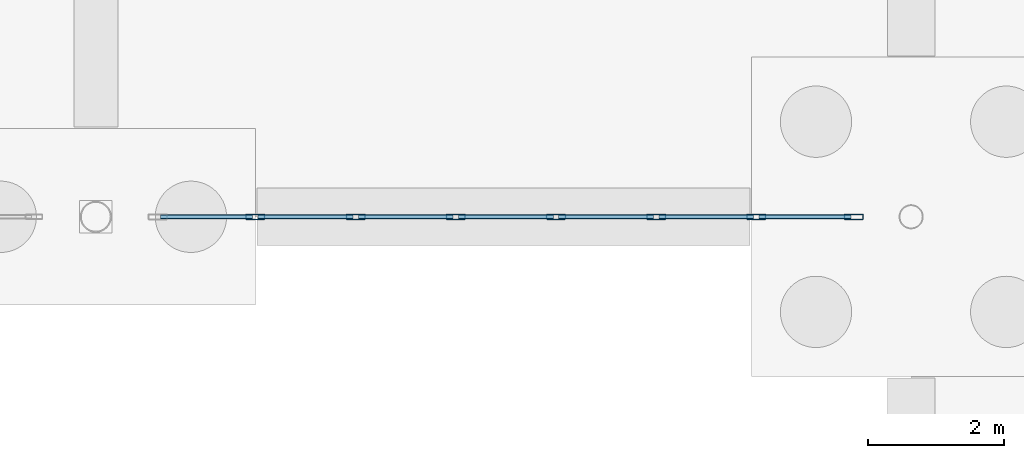
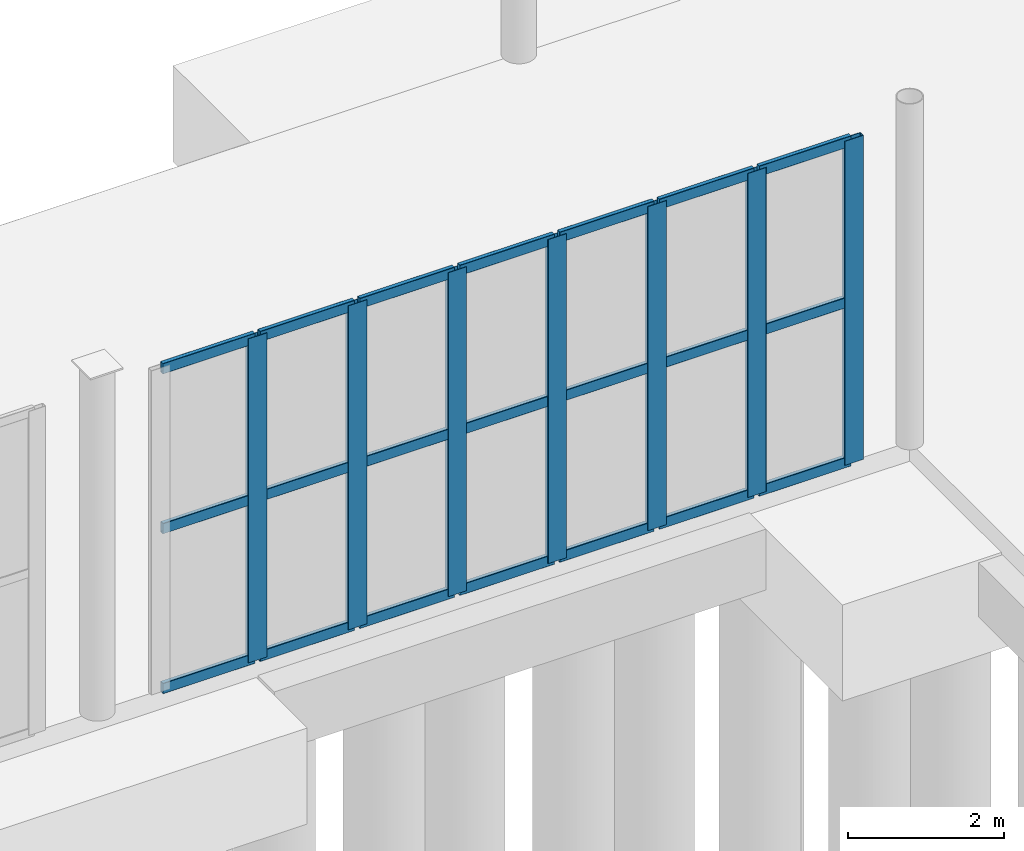
# One storey, part 34 of 70: 28 members, 1 element without a shape of its own.
"""IFC4 building model written with IfcOpenShell, lengths in metres."""

from ifc_helpers import new_model, si_unit, direction, frame, origin, origin_2d, place, context, subcontext, project, spatial, hollow_rectangle, extrude, material, layer, layer_set, material_profile, profile_set, type_object, element, aggregate, save


model = new_model("IFC4")

# Units and contexts
model_context = context("Model", 3, precision=1e-05, world=origin(), true_north=direction((0.0, 1.0)))
body_context = subcontext(model_context, "Body", "Model", "MODEL_VIEW")
ifc_project = project(units=[si_unit("LENGTHUNIT", "METRE"), si_unit("AREAUNIT", "SQUARE_METRE"), si_unit("VOLUMEUNIT", "CUBIC_METRE"), si_unit("PLANEANGLEUNIT", "RADIAN"), si_unit("MASSUNIT", "GRAM", prefix="KILO")], contexts=[model_context])

# Site, building, storey
site_placement = place(None, origin())
site = spatial("IfcSite", under=ifc_project, at=site_placement, CompositionType="ELEMENT")
building_placement = place(site_placement, origin())
building = spatial("IfcBuilding", under=site, at=building_placement, Name="Brinegate Civic Arena", CompositionType="ELEMENT")
storey_placement = place(building_placement, origin())
storey = spatial("IfcBuildingStorey", under=building, at=storey_placement, Name="L00", CompositionType="ELEMENT", Elevation=0.0)

# Curtain wall, members
ifc_material = material(Name="Marine grade aluminium", Category="aluminium")
ifc_layer = layer(ifc_material, 0.215087890625, Name="Marine grade aluminium")
ifc_layer_set = layer_set([ifc_layer], Name="Marine grade aluminium")
curtain_wall_type = type_object("IfcCurtainWallType", Name="CW-FOYER-GLAZED-02", PredefinedType="USERDEFINED", material=ifc_layer_set)
curtain_wall_placement = place(storey_placement, origin())
curtain_wall = element("IfcCurtainWall", 1, at=curtain_wall_placement, inside=storey, type_object=curtain_wall_type, Name="Curtain Wall CWA-007", ObjectType="GLAZED CURTAIN WALL", PredefinedType="USERDEFINED")
ifc_material_profile_1 = material_profile(ifc_material, hollow_rectangle(XDim=0.080078125, YDim=0.280029296875, WallThickness=0.007080078125, InnerFilletRadius=0.0048828125, OuterFilletRadius=0.010009765625, at=origin_2d()), Name="MUL80X280")
ifc_profile_set_1 = profile_set([ifc_material_profile_1], Name="Marine grade aluminium")
member_type_1 = type_object("IfcMemberType", Name="CW-MULLION-80X280", PredefinedType="MULLION", material=ifc_profile_set_1)
member_1_placement = place(storey_placement, frame((38.347900390625, 114.0, 0.0), z_axis=(0.0, 0.0, 1.0), x_axis=(0.0, 1.0, 0.0)))
member_1 = element("IfcMember", 2, at=member_1_placement, type_object=member_type_1, Name="CWA-007 mullion 2", PredefinedType="MULLION", context=body_context, shape_type="SweptSolid", body=[
    extrude(hollow_rectangle(XDim=0.080078125, YDim=0.280029296875, WallThickness=0.007080078125, InnerFilletRadius=0.0048828125, OuterFilletRadius=0.010009765625, at=origin_2d()), origin(), (0.0, 0.0, 1.0), 5.06005859375),
])
member_2_placement = place(storey_placement, frame((39.822998046875, 114.0, 0.0), z_axis=(0.0, 0.0, 1.0), x_axis=(0.0, 1.0, 0.0)))
member_2 = element("IfcMember", 3, at=member_2_placement, type_object=member_type_1, Name="CWA-007 mullion 3", PredefinedType="MULLION", context=body_context, shape_type="SweptSolid", body=[
    extrude(hollow_rectangle(XDim=0.080078125, YDim=0.280029296875, WallThickness=0.007080078125, InnerFilletRadius=0.0048828125, OuterFilletRadius=0.010009765625, at=origin_2d()), origin(), (0.0, 0.0, 1.0), 5.06005859375),
])
member_3_placement = place(storey_placement, frame((41.298095703125, 114.0, 0.0), z_axis=(0.0, 0.0, 1.0), x_axis=(0.0, 1.0, 0.0)))
member_3 = element("IfcMember", 4, at=member_3_placement, type_object=member_type_1, Name="CWA-007 mullion 4", PredefinedType="MULLION", context=body_context, shape_type="SweptSolid", body=[
    extrude(hollow_rectangle(XDim=0.080078125, YDim=0.280029296875, WallThickness=0.007080078125, InnerFilletRadius=0.0048828125, OuterFilletRadius=0.010009765625, at=origin_2d()), origin(), (0.0, 0.0, 1.0), 5.06005859375),
])
member_4_placement = place(storey_placement, frame((42.77294921875, 114.0, 0.0), z_axis=(0.0, 0.0, 1.0), x_axis=(0.0, 1.0, 0.0)))
member_4 = element("IfcMember", 5, at=member_4_placement, type_object=member_type_1, Name="CWA-007 mullion 5", PredefinedType="MULLION", context=body_context, shape_type="SweptSolid", body=[
    extrude(hollow_rectangle(XDim=0.080078125, YDim=0.280029296875, WallThickness=0.007080078125, InnerFilletRadius=0.0048828125, OuterFilletRadius=0.010009765625, at=origin_2d()), origin(), (0.0, 0.0, 1.0), 5.06005859375),
])
member_5_placement = place(storey_placement, frame((44.248046875, 114.0, 0.0), z_axis=(0.0, 0.0, 1.0), x_axis=(0.0, 1.0, 0.0)))
member_5 = element("IfcMember", 6, at=member_5_placement, type_object=member_type_1, Name="CWA-007 mullion 6", PredefinedType="MULLION", context=body_context, shape_type="SweptSolid", body=[
    extrude(hollow_rectangle(XDim=0.080078125, YDim=0.280029296875, WallThickness=0.007080078125, InnerFilletRadius=0.0048828125, OuterFilletRadius=0.010009765625, at=origin_2d()), origin(), (0.0, 0.0, 1.0), 5.06005859375),
])
member_6_placement = place(storey_placement, frame((45.722900390625, 114.0, 0.0), z_axis=(0.0, 0.0, 1.0), x_axis=(0.0, 1.0, 0.0)))
member_6 = element("IfcMember", 7, at=member_6_placement, type_object=member_type_1, Name="CWA-007 mullion 7", PredefinedType="MULLION", context=body_context, shape_type="SweptSolid", body=[
    extrude(hollow_rectangle(XDim=0.080078125, YDim=0.280029296875, WallThickness=0.007080078125, InnerFilletRadius=0.0048828125, OuterFilletRadius=0.010009765625, at=origin_2d()), origin(), (0.0, 0.0, 1.0), 5.06005859375),
])
member_7_placement = place(storey_placement, frame((47.157958984375, 114.0, 0.0), z_axis=(0.0, 0.0, 1.0), x_axis=(0.0, 1.0, 0.0)))
member_7 = element("IfcMember", 8, at=member_7_placement, type_object=member_type_1, Name="CWA-007 mullion 8", PredefinedType="MULLION", context=body_context, shape_type="SweptSolid", body=[
    extrude(hollow_rectangle(XDim=0.080078125, YDim=0.280029296875, WallThickness=0.007080078125, InnerFilletRadius=0.0048828125, OuterFilletRadius=0.010009765625, at=origin_2d()), origin(), (0.0, 0.0, 1.0), 5.06005859375),
])
ifc_material_profile_2 = material_profile(ifc_material, hollow_rectangle(XDim=0.06494140625, YDim=0.1650390625, WallThickness=0.0048828125, InnerFilletRadius=0.00390625, OuterFilletRadius=0.008056640625, at=origin_2d()), Name="TRN65X165")
ifc_profile_set_2 = profile_set([ifc_material_profile_2], Name="Marine grade aluminium")
member_type_2 = type_object("IfcMemberType", Name="CW-TRANSOM-65X165", PredefinedType="USERDEFINED", material=ifc_profile_set_2)
member_8_placement = place(storey_placement, frame((36.952880859375, 114.0, 0.032470703125), z_axis=(1.0, 0.0, 0.0), x_axis=(0.0, 1.0, 0.0)))
member_8 = element("IfcMember", 9, at=member_8_placement, type_object=member_type_2, Name="CWA-007 transom 1.1", ObjectType="TRANSOM", PredefinedType="USERDEFINED", context=body_context, shape_type="SweptSolid", body=[
    extrude(hollow_rectangle(XDim=0.06494140625, YDim=0.1650390625, WallThickness=0.0048828125, InnerFilletRadius=0.00390625, OuterFilletRadius=0.008056640625, at=origin_2d()), origin(), (0.0, 0.0, 1.0), 1.355224609375),
])
member_9_placement = place(storey_placement, frame((36.952880859375, 114.0, 2.530029296875), z_axis=(1.0, 0.0, 0.0), x_axis=(0.0, 1.0, 0.0)))
member_9 = element("IfcMember", 10, at=member_9_placement, type_object=member_type_2, Name="CWA-007 transom 1.2", ObjectType="TRANSOM", PredefinedType="USERDEFINED", context=body_context, shape_type="SweptSolid", body=[
    extrude(hollow_rectangle(XDim=0.06494140625, YDim=0.1650390625, WallThickness=0.0048828125, InnerFilletRadius=0.00390625, OuterFilletRadius=0.008056640625, at=origin_2d()), origin(), (0.0, 0.0, 1.0), 1.355224609375),
])
member_10_placement = place(storey_placement, frame((36.952880859375, 114.0, 5.027587890625), z_axis=(1.0, 0.0, 0.0), x_axis=(0.0, 1.0, 0.0)))
member_10 = element("IfcMember", 11, at=member_10_placement, type_object=member_type_2, Name="CWA-007 transom 1.3", ObjectType="TRANSOM", PredefinedType="USERDEFINED", context=body_context, shape_type="SweptSolid", body=[
    extrude(hollow_rectangle(XDim=0.06494140625, YDim=0.1650390625, WallThickness=0.0048828125, InnerFilletRadius=0.00390625, OuterFilletRadius=0.008056640625, at=origin_2d()), origin(), (0.0, 0.0, 1.0), 1.355224609375),
])
member_11_placement = place(storey_placement, frame((38.387939453125, 114.0, 0.032470703125), z_axis=(1.0, 0.0, 0.0), x_axis=(0.0, 1.0, 0.0)))
member_11 = element("IfcMember", 12, at=member_11_placement, type_object=member_type_2, Name="CWA-007 transom 2.1", ObjectType="TRANSOM", PredefinedType="USERDEFINED", context=body_context, shape_type="SweptSolid", body=[
    extrude(hollow_rectangle(XDim=0.06494140625, YDim=0.1650390625, WallThickness=0.0048828125, InnerFilletRadius=0.00390625, OuterFilletRadius=0.008056640625, at=origin_2d()), origin(), (0.0, 0.0, 1.0), 1.39501953125),
])
member_12_placement = place(storey_placement, frame((38.387939453125, 114.0, 2.530029296875), z_axis=(1.0, 0.0, 0.0), x_axis=(0.0, 1.0, 0.0)))
member_12 = element("IfcMember", 13, at=member_12_placement, type_object=member_type_2, Name="CWA-007 transom 2.2", ObjectType="TRANSOM", PredefinedType="USERDEFINED", context=body_context, shape_type="SweptSolid", body=[
    extrude(hollow_rectangle(XDim=0.06494140625, YDim=0.1650390625, WallThickness=0.0048828125, InnerFilletRadius=0.00390625, OuterFilletRadius=0.008056640625, at=origin_2d()), origin(), (0.0, 0.0, 1.0), 1.39501953125),
])
member_13_placement = place(storey_placement, frame((38.387939453125, 114.0, 5.027587890625), z_axis=(1.0, 0.0, 0.0), x_axis=(0.0, 1.0, 0.0)))
member_13 = element("IfcMember", 14, at=member_13_placement, type_object=member_type_2, Name="CWA-007 transom 2.3", ObjectType="TRANSOM", PredefinedType="USERDEFINED", context=body_context, shape_type="SweptSolid", body=[
    extrude(hollow_rectangle(XDim=0.06494140625, YDim=0.1650390625, WallThickness=0.0048828125, InnerFilletRadius=0.00390625, OuterFilletRadius=0.008056640625, at=origin_2d()), origin(), (0.0, 0.0, 1.0), 1.39501953125),
])
member_14_placement = place(storey_placement, frame((39.863037109375, 114.0, 0.032470703125), z_axis=(1.0, 0.0, 0.0), x_axis=(0.0, 1.0, 0.0)))
member_14 = element("IfcMember", 15, at=member_14_placement, type_object=member_type_2, Name="CWA-007 transom 3.1", ObjectType="TRANSOM", PredefinedType="USERDEFINED", context=body_context, shape_type="SweptSolid", body=[
    extrude(hollow_rectangle(XDim=0.06494140625, YDim=0.1650390625, WallThickness=0.0048828125, InnerFilletRadius=0.00390625, OuterFilletRadius=0.008056640625, at=origin_2d()), origin(), (0.0, 0.0, 1.0), 1.39501953125),
])
member_15_placement = place(storey_placement, frame((39.863037109375, 114.0, 2.530029296875), z_axis=(1.0, 0.0, 0.0), x_axis=(0.0, 1.0, 0.0)))
member_15 = element("IfcMember", 16, at=member_15_placement, type_object=member_type_2, Name="CWA-007 transom 3.2", ObjectType="TRANSOM", PredefinedType="USERDEFINED", context=body_context, shape_type="SweptSolid", body=[
    extrude(hollow_rectangle(XDim=0.06494140625, YDim=0.1650390625, WallThickness=0.0048828125, InnerFilletRadius=0.00390625, OuterFilletRadius=0.008056640625, at=origin_2d()), origin(), (0.0, 0.0, 1.0), 1.39501953125),
])
member_16_placement = place(storey_placement, frame((39.863037109375, 114.0, 5.027587890625), z_axis=(1.0, 0.0, 0.0), x_axis=(0.0, 1.0, 0.0)))
member_16 = element("IfcMember", 17, at=member_16_placement, type_object=member_type_2, Name="CWA-007 transom 3.3", ObjectType="TRANSOM", PredefinedType="USERDEFINED", context=body_context, shape_type="SweptSolid", body=[
    extrude(hollow_rectangle(XDim=0.06494140625, YDim=0.1650390625, WallThickness=0.0048828125, InnerFilletRadius=0.00390625, OuterFilletRadius=0.008056640625, at=origin_2d()), origin(), (0.0, 0.0, 1.0), 1.39501953125),
])
member_17_placement = place(storey_placement, frame((41.337890625, 114.0, 0.032470703125), z_axis=(1.0, 0.0, 0.0), x_axis=(0.0, 1.0, 0.0)))
member_17 = element("IfcMember", 18, at=member_17_placement, type_object=member_type_2, Name="CWA-007 transom 4.1", ObjectType="TRANSOM", PredefinedType="USERDEFINED", context=body_context, shape_type="SweptSolid", body=[
    extrude(hollow_rectangle(XDim=0.06494140625, YDim=0.1650390625, WallThickness=0.0048828125, InnerFilletRadius=0.00390625, OuterFilletRadius=0.008056640625, at=origin_2d()), origin(), (0.0, 0.0, 1.0), 1.39501953125),
])
member_18_placement = place(storey_placement, frame((41.337890625, 114.0, 2.530029296875), z_axis=(1.0, 0.0, 0.0), x_axis=(0.0, 1.0, 0.0)))
member_18 = element("IfcMember", 19, at=member_18_placement, type_object=member_type_2, Name="CWA-007 transom 4.2", ObjectType="TRANSOM", PredefinedType="USERDEFINED", context=body_context, shape_type="SweptSolid", body=[
    extrude(hollow_rectangle(XDim=0.06494140625, YDim=0.1650390625, WallThickness=0.0048828125, InnerFilletRadius=0.00390625, OuterFilletRadius=0.008056640625, at=origin_2d()), origin(), (0.0, 0.0, 1.0), 1.39501953125),
])
member_19_placement = place(storey_placement, frame((41.337890625, 114.0, 5.027587890625), z_axis=(1.0, 0.0, 0.0), x_axis=(0.0, 1.0, 0.0)))
member_19 = element("IfcMember", 20, at=member_19_placement, type_object=member_type_2, Name="CWA-007 transom 4.3", ObjectType="TRANSOM", PredefinedType="USERDEFINED", context=body_context, shape_type="SweptSolid", body=[
    extrude(hollow_rectangle(XDim=0.06494140625, YDim=0.1650390625, WallThickness=0.0048828125, InnerFilletRadius=0.00390625, OuterFilletRadius=0.008056640625, at=origin_2d()), origin(), (0.0, 0.0, 1.0), 1.39501953125),
])
member_20_placement = place(storey_placement, frame((42.81298828125, 114.0, 0.032470703125), z_axis=(1.0, 0.0, 0.0), x_axis=(0.0, 1.0, 0.0)))
member_20 = element("IfcMember", 21, at=member_20_placement, type_object=member_type_2, Name="CWA-007 transom 5.1", ObjectType="TRANSOM", PredefinedType="USERDEFINED", context=body_context, shape_type="SweptSolid", body=[
    extrude(hollow_rectangle(XDim=0.06494140625, YDim=0.1650390625, WallThickness=0.0048828125, InnerFilletRadius=0.00390625, OuterFilletRadius=0.008056640625, at=origin_2d()), origin(), (0.0, 0.0, 1.0), 1.39501953125),
])
member_21_placement = place(storey_placement, frame((42.81298828125, 114.0, 2.530029296875), z_axis=(1.0, 0.0, 0.0), x_axis=(0.0, 1.0, 0.0)))
member_21 = element("IfcMember", 22, at=member_21_placement, type_object=member_type_2, Name="CWA-007 transom 5.2", ObjectType="TRANSOM", PredefinedType="USERDEFINED", context=body_context, shape_type="SweptSolid", body=[
    extrude(hollow_rectangle(XDim=0.06494140625, YDim=0.1650390625, WallThickness=0.0048828125, InnerFilletRadius=0.00390625, OuterFilletRadius=0.008056640625, at=origin_2d()), origin(), (0.0, 0.0, 1.0), 1.39501953125),
])
member_22_placement = place(storey_placement, frame((42.81298828125, 114.0, 5.027587890625), z_axis=(1.0, 0.0, 0.0), x_axis=(0.0, 1.0, 0.0)))
member_22 = element("IfcMember", 23, at=member_22_placement, type_object=member_type_2, Name="CWA-007 transom 5.3", ObjectType="TRANSOM", PredefinedType="USERDEFINED", context=body_context, shape_type="SweptSolid", body=[
    extrude(hollow_rectangle(XDim=0.06494140625, YDim=0.1650390625, WallThickness=0.0048828125, InnerFilletRadius=0.00390625, OuterFilletRadius=0.008056640625, at=origin_2d()), origin(), (0.0, 0.0, 1.0), 1.39501953125),
])
member_23_placement = place(storey_placement, frame((44.2880859375, 114.0, 0.032470703125), z_axis=(1.0, 0.0, 0.0), x_axis=(0.0, 1.0, 0.0)))
member_23 = element("IfcMember", 24, at=member_23_placement, type_object=member_type_2, Name="CWA-007 transom 6.1", ObjectType="TRANSOM", PredefinedType="USERDEFINED", context=body_context, shape_type="SweptSolid", body=[
    extrude(hollow_rectangle(XDim=0.06494140625, YDim=0.1650390625, WallThickness=0.0048828125, InnerFilletRadius=0.00390625, OuterFilletRadius=0.008056640625, at=origin_2d()), origin(), (0.0, 0.0, 1.0), 1.39501953125),
])
member_24_placement = place(storey_placement, frame((44.2880859375, 114.0, 2.530029296875), z_axis=(1.0, 0.0, 0.0), x_axis=(0.0, 1.0, 0.0)))
member_24 = element("IfcMember", 25, at=member_24_placement, type_object=member_type_2, Name="CWA-007 transom 6.2", ObjectType="TRANSOM", PredefinedType="USERDEFINED", context=body_context, shape_type="SweptSolid", body=[
    extrude(hollow_rectangle(XDim=0.06494140625, YDim=0.1650390625, WallThickness=0.0048828125, InnerFilletRadius=0.00390625, OuterFilletRadius=0.008056640625, at=origin_2d()), origin(), (0.0, 0.0, 1.0), 1.39501953125),
])
member_25_placement = place(storey_placement, frame((44.2880859375, 114.0, 5.027587890625), z_axis=(1.0, 0.0, 0.0), x_axis=(0.0, 1.0, 0.0)))
member_25 = element("IfcMember", 26, at=member_25_placement, type_object=member_type_2, Name="CWA-007 transom 6.3", ObjectType="TRANSOM", PredefinedType="USERDEFINED", context=body_context, shape_type="SweptSolid", body=[
    extrude(hollow_rectangle(XDim=0.06494140625, YDim=0.1650390625, WallThickness=0.0048828125, InnerFilletRadius=0.00390625, OuterFilletRadius=0.008056640625, at=origin_2d()), origin(), (0.0, 0.0, 1.0), 1.39501953125),
])
member_26_placement = place(storey_placement, frame((45.762939453125, 114.0, 0.032470703125), z_axis=(1.0, 0.0, 0.0), x_axis=(0.0, 1.0, 0.0)))
member_26 = element("IfcMember", 27, at=member_26_placement, type_object=member_type_2, Name="CWA-007 transom 7.1", ObjectType="TRANSOM", PredefinedType="USERDEFINED", context=body_context, shape_type="SweptSolid", body=[
    extrude(hollow_rectangle(XDim=0.06494140625, YDim=0.1650390625, WallThickness=0.0048828125, InnerFilletRadius=0.00390625, OuterFilletRadius=0.008056640625, at=origin_2d()), origin(), (0.0, 0.0, 1.0), 1.35498046875),
])
member_27_placement = place(storey_placement, frame((45.762939453125, 114.0, 2.530029296875), z_axis=(1.0, 0.0, 0.0), x_axis=(0.0, 1.0, 0.0)))
member_27 = element("IfcMember", 28, at=member_27_placement, type_object=member_type_2, Name="CWA-007 transom 7.2", ObjectType="TRANSOM", PredefinedType="USERDEFINED", context=body_context, shape_type="SweptSolid", body=[
    extrude(hollow_rectangle(XDim=0.06494140625, YDim=0.1650390625, WallThickness=0.0048828125, InnerFilletRadius=0.00390625, OuterFilletRadius=0.008056640625, at=origin_2d()), origin(), (0.0, 0.0, 1.0), 1.35498046875),
])
member_28_placement = place(storey_placement, frame((45.762939453125, 114.0, 5.027587890625), z_axis=(1.0, 0.0, 0.0), x_axis=(0.0, 1.0, 0.0)))
member_28 = element("IfcMember", 29, at=member_28_placement, type_object=member_type_2, Name="CWA-007 transom 7.3", ObjectType="TRANSOM", PredefinedType="USERDEFINED", context=body_context, shape_type="SweptSolid", body=[
    extrude(hollow_rectangle(XDim=0.06494140625, YDim=0.1650390625, WallThickness=0.0048828125, InnerFilletRadius=0.00390625, OuterFilletRadius=0.008056640625, at=origin_2d()), origin(), (0.0, 0.0, 1.0), 1.35498046875),
])
aggregate(curtain_wall, [member_1, member_2, member_3, member_4, member_5, member_6, member_7, member_8, member_9, member_10, member_11, member_12, member_13, member_14, member_15, member_16, member_17, member_18, member_19, member_20, member_21, member_22, member_23, member_24, member_25, member_26, member_27, member_28])

save(model, "model.ifc")
